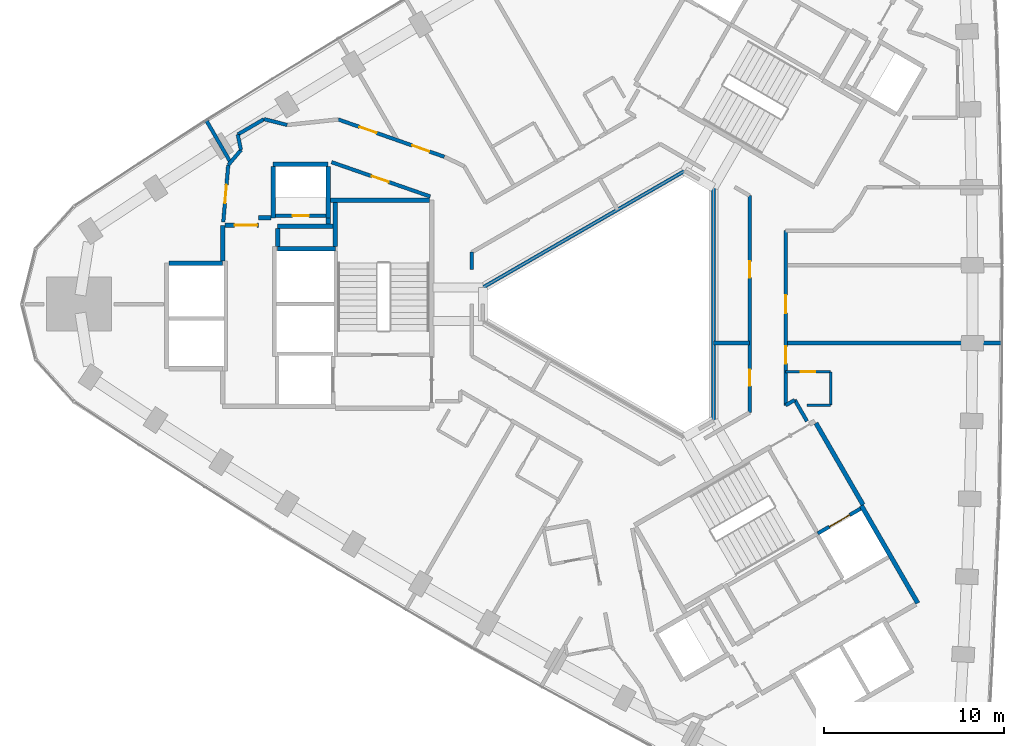
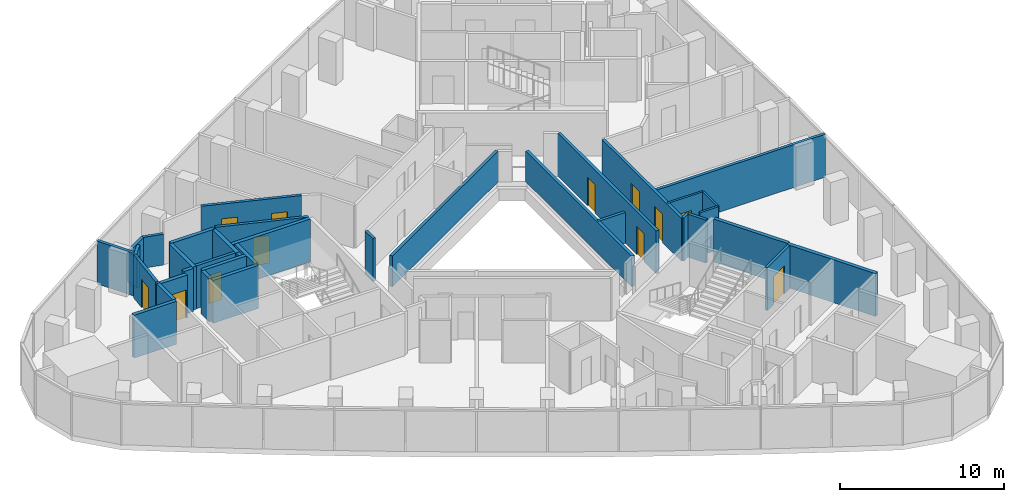
# One storey, part 10 of 13: 37 walls, 12 doors, 12 openings.
"""IFC4 building model written with IfcOpenShell, lengths in metres."""

from ifc_helpers import new_model, si_unit, direction, frame, frame_2d, origin, place, context, subcontext, project, spatial, rectangle, extrude, material, layer, layer_set, type_object, element, fill, save


model = new_model("IFC4")

# Units and contexts
model_context = context("Model", 3, precision=1e-05, world=origin(), true_north=direction((0.0, 1.0)))
body_context = subcontext(model_context, "Body", "Model", "MODEL_VIEW")
ifc_project = project(units=[si_unit("LENGTHUNIT", "METRE"), si_unit("AREAUNIT", "SQUARE_METRE"), si_unit("VOLUMEUNIT", "CUBIC_METRE"), si_unit("PLANEANGLEUNIT", "RADIAN"), si_unit("MASSUNIT", "GRAM", prefix="KILO")], contexts=[model_context])

# Site, building, storey
site_placement = place(None, origin())
site = spatial("IfcSite", under=ifc_project, at=site_placement, CompositionType="ELEMENT")
building_placement = place(site_placement, origin())
building = spatial("IfcBuilding", under=site, at=building_placement, Name="Tamra Quay Hotel Tower", CompositionType="ELEMENT")
storey_placement = place(building_placement, frame((0.0, 0.0, 132.39990234375)))
storey = spatial("IfcBuildingStorey", under=building, at=storey_placement, Name="L32", CompositionType="ELEMENT", Elevation=132.39990234375)

# Wall, opening, door
ifc_material_1 = material(Name="Concrete M70", Category="concrete")
ifc_layer_1 = layer(ifc_material_1, 0.199951171875)
ifc_layer_set_1 = layer_set([ifc_layer_1], Name="Concrete M70 core wall 200")
wall_type_1 = type_object("IfcWallType", Name="Concrete M70 core wall 200", PredefinedType="SHEAR", material=ifc_layer_set_1)
wall_1_placement = place(storey_placement, frame((-19.51123046875, 4.91015625, 0.0), z_axis=(0.0, 0.0, 1.0), x_axis=(1.0, 0.0, 0.0)))
wall_1 = element("IfcWall", 1, at=wall_1_placement, inside=storey, type_object=wall_type_1, Name="CW2", PredefinedType="SHEAR", context=body_context, shape_type="SweptSolid", body=[
    extrude(rectangle(XDim=2.7978515625, YDim=0.199951171875, at=frame_2d((1.39892578125, 0.0))), origin(), (0.0, 0.0, 1.0), 3.2001953125),
])
opening_1_placement = place(wall_1_placement, frame((0.948974609375, 0.0, 0.0)))
opening_1 = element("IfcOpeningElement", 2, at=opening_1_placement, cuts=wall_1, Name="Opening D1", PredefinedType="OPENING", context=body_context, shape_type="SweptSolid", body=[
    extrude(rectangle(XDim=0.89990234375, YDim=2.10009765625, at=frame_2d((0.449951171875, 1.050048828125))), frame((0.0, 0.10986328125, 0.0), z_axis=(0.0, -1.0, 0.0), x_axis=(1.0, 0.0, 0.0)), (0.0, 0.0, 1.0), 0.219970703125),
])
ifc_material_2 = material(Name="Core door D1 900x2100 LH")
door_type_1 = type_object("IfcDoorType", Name="Core door D1 900x2100 LH", OperationType="NOTDEFINED", PredefinedType="DOOR", material=ifc_material_2)
door_1_placement = place(opening_1_placement, origin())
door_1 = element("IfcDoor", 3, at=door_1_placement, inside=storey, type_object=door_type_1, Name="D1", OperationType="SINGLE_SWING_LEFT", OverallHeight=2.10009765625, OverallWidth=0.89990234375, PredefinedType="DOOR", context=body_context, shape_type="SweptSolid", body=[
    extrude(rectangle(XDim=0.89990234375, YDim=2.10009765625, at=frame_2d((0.449951171875, 1.050048828125))), frame((0.0, 0.02490234375, 0.0), z_axis=(0.0, -1.0, 0.0), x_axis=(1.0, 0.0, 0.0)), (0.0, 0.0, 1.0), 0.050048828125),
])
fill(opening_1, door_1)

wall_2_placement = place(storey_placement, frame((10.587158203125, -12.72314453125, 0.0), z_axis=(0.0, 0.0, 1.0), x_axis=(0.866037306777, 0.499979382845, 0.0)))
wall_2 = element("IfcWall", 4, at=wall_2_placement, inside=storey, type_object=wall_type_1, Name="CW2", PredefinedType="SHEAR", context=body_context, shape_type="SweptSolid", body=[
    extrude(rectangle(XDim=2.74169921875, YDim=0.199951171875, at=frame_2d((1.370849609375, 0.0))), origin(), (0.0, 0.0, 1.0), 3.2001953125),
])
opening_2_placement = place(wall_2_placement, frame((0.742919921875, 0.0, 0.0)))
opening_2 = element("IfcOpeningElement", 5, at=opening_2_placement, cuts=wall_2, Name="Opening LD", PredefinedType="OPENING", context=body_context, shape_type="SweptSolid", body=[
    extrude(rectangle(XDim=1.300048828125, YDim=2.10009765625, at=frame_2d((0.64990234375, 1.050048828125))), frame((0.0, 0.10986328125, 0.0), z_axis=(0.0, -1.0, 0.0), x_axis=(1.0, 0.0, 0.0)), (0.0, 0.0, 1.0), 0.219970703125),
])
ifc_material_3 = material(Name="Landing door LD 1300 sliding to left")
door_type_2 = type_object("IfcDoorType", Name="Landing door LD 1300 sliding to left", OperationType="NOTDEFINED", PredefinedType="DOOR", material=ifc_material_3)
door_2_placement = place(opening_2_placement, origin())
door_2 = element("IfcDoor", 6, at=door_2_placement, inside=storey, type_object=door_type_2, Name="LD", OperationType="SLIDING_TO_LEFT", OverallHeight=2.10009765625, OverallWidth=1.300048828125, PredefinedType="DOOR", context=body_context, shape_type="SweptSolid", body=[
    extrude(rectangle(XDim=1.300048828125, YDim=2.10009765625, at=frame_2d((0.64990234375, 1.050048828125))), frame((0.0, 0.02490234375, 0.0), z_axis=(0.0, -1.0, 0.0), x_axis=(1.0, 0.0, 0.0)), (0.0, 0.0, 1.0), 0.050048828125),
])
fill(opening_2, door_2)

# Walls
ifc_layer_2 = layer(ifc_material_1, 0.25)
ifc_layer_set_2 = layer_set([ifc_layer_2], Name="Concrete M70 core wall 250")
wall_type_2 = type_object("IfcWallType", Name="Concrete M70 core wall 250", PredefinedType="SHEAR", material=ifc_layer_set_2)
wall_3_placement = place(storey_placement, frame((-16.47216796875, 5.77490234375, 0.0), z_axis=(0.0, 0.0, 1.0), x_axis=(1.0, 0.0, 0.0)))
element("IfcWall", 7, at=wall_3_placement, inside=storey, type_object=wall_type_2, Name="CW1", PredefinedType="SHEAR", context=body_context, shape_type="SweptSolid", body=[
    extrude(rectangle(XDim=5.509521484375, YDim=0.25, at=frame_2d((2.7548828125, 0.0))), origin(), (0.0, 0.0, 1.0), 3.2001953125),
])
wall_4_placement = place(storey_placement, frame((-19.38720703125, 3.074951171875, 0.0), z_axis=(0.0, 0.0, 1.0), x_axis=(1.0, 0.0, 0.0)))
element("IfcWall", 8, at=wall_4_placement, inside=storey, type_object=wall_type_2, Name="CW1", PredefinedType="SHEAR", context=body_context, shape_type="SweptSolid", body=[
    extrude(rectangle(XDim=3.199951171875, YDim=0.25, at=frame_2d((1.60009765625, 0.0))), origin(), (0.0, 0.0, 1.0), 3.2001953125),
])
wall_5_placement = place(storey_placement, frame((-25.411865234375, 2.27490234375, 0.0), z_axis=(0.0, 0.0, 1.0), x_axis=(1.0, 0.0, 0.0)))
element("IfcWall", 9, at=wall_5_placement, inside=storey, type_object=wall_type_2, Name="CW1", PredefinedType="SHEAR", context=body_context, shape_type="SweptSolid", body=[
    extrude(rectangle(XDim=2.974609375, YDim=0.25, at=frame_2d((1.4873046875, 0.0))), origin(), (0.0, 0.0, 1.0), 3.2001953125),
])
wall_6_placement = place(storey_placement, frame((-19.63720703125, 7.77490234375, 0.0), z_axis=(0.0, 0.0, 1.0), x_axis=(1.0, 0.0, 0.0)))
element("IfcWall", 10, at=wall_6_placement, inside=storey, type_object=wall_type_2, Name="CW1", PredefinedType="SHEAR", context=body_context, shape_type="SweptSolid", body=[
    extrude(rectangle(XDim=3.0498046875, YDim=0.25, at=frame_2d((1.52490234375, 0.0))), origin(), (0.0, 0.0, 1.0), 3.2001953125),
])
for number, where, z_axis, x_axis, name in (
    (11, (-16.58740234375, 7.649658203125, 0.0), (0.0, 0.0, 1.0), (0.0, -1.0, 0.0), "CW1"),
    (12, (-19.63720703125, 4.784912109375, 0.0), (0.0, 0.0, 1.0), (0.0, 1.0, 0.0), "CW1"),
):
    element("IfcWall", number, at=place(storey_placement, frame(where, z_axis=z_axis, x_axis=x_axis)), inside=storey, type_object=wall_type_2, Name=name, PredefinedType="SHEAR", context=body_context, shape_type="SweptSolid", body=[
        extrude(rectangle(XDim=2.86474609375, YDim=0.25, at=frame_2d((1.432373046875, 0.0))), origin(), (0.0, 0.0, 1.0), 3.2001953125),
    ])
wall_7_placement = place(storey_placement, frame((-16.30224609375, 4.31494140625, 0.0), z_axis=(0.0, 0.0, 1.0), x_axis=(-1.0, 0.0, 0.0)))
element("IfcWall", 13, at=wall_7_placement, inside=storey, type_object=wall_type_2, Name="CW1", PredefinedType="SHEAR", context=body_context, shape_type="SweptSolid", body=[
    extrude(rectangle(XDim=3.0849609375, YDim=0.25, at=frame_2d((1.54248046875, 0.0))), origin(), (0.0, 0.0, 1.0), 3.2001953125),
])
wall_8_placement = place(storey_placement, frame((-16.187255859375, 3.200439453125, 0.0), z_axis=(0.0, 0.0, 1.0), x_axis=(0.0, 1.0, 0.0)))
element("IfcWall", 14, at=wall_8_placement, inside=storey, type_object=wall_type_2, Name="CW1", PredefinedType="SHEAR", context=body_context, shape_type="SweptSolid", body=[
    extrude(rectangle(XDim=2.44921875, YDim=0.25, at=frame_2d((1.224609375, 0.0))), origin(), (0.0, 0.0, 1.0), 3.2001953125),
])
wall_9_placement = place(storey_placement, frame((-22.437255859375, 2.400390625, 0.0), z_axis=(0.0, 0.0, 1.0), x_axis=(0.0, 1.0, 0.0)))
element("IfcWall", 15, at=wall_9_placement, inside=storey, type_object=wall_type_2, Name="CW1", PredefinedType="SHEAR", context=body_context, shape_type="SweptSolid", body=[
    extrude(rectangle(XDim=1.974609375, YDim=0.25, at=frame_2d((0.9873046875, 0.0))), origin(), (0.0, 0.0, 1.0), 3.2001953125),
])

# Wall, opening, door
wall_10_placement = place(storey_placement, frame((-22.311767578125, 4.375, 0.0), z_axis=(0.0, 0.0, 1.0), x_axis=(1.0, 0.0, 0.0)))
wall_10 = element("IfcWall", 16, at=wall_10_placement, inside=storey, type_object=wall_type_2, Name="CW1", PredefinedType="SHEAR", context=body_context, shape_type="SweptSolid", body=[
    extrude(rectangle(XDim=1.864501953125, YDim=0.25, at=frame_2d((0.93212890625, 0.0))), origin(), (0.0, 0.0, 1.0), 3.2001953125),
])
opening_3_placement = place(wall_10_placement, frame((0.53466796875, 0.0, 0.0)))
opening_3 = element("IfcOpeningElement", 17, at=opening_3_placement, cuts=wall_10, Name="Opening FD3", PredefinedType="OPENING", context=body_context, shape_type="SweptSolid", body=[
    extrude(rectangle(XDim=1.25, YDim=2.10009765625, at=frame_2d((0.625, 1.050048828125))), frame((0.0, 0.135009765625, 0.0), z_axis=(0.0, -1.0, 0.0), x_axis=(1.0, 0.0, 0.0)), (0.0, 0.0, 1.0), 0.27001953125),
])
ifc_material_4 = material(Name="Core door FD3 1250x2100 LH")
door_type_3 = type_object("IfcDoorType", Name="Core door FD3 1250x2100 LH", OperationType="NOTDEFINED", PredefinedType="DOOR", material=ifc_material_4)
door_3_placement = place(opening_3_placement, origin())
door_3 = element("IfcDoor", 18, at=door_3_placement, inside=storey, type_object=door_type_3, Name="FD3", OperationType="SINGLE_SWING_LEFT", OverallHeight=2.10009765625, OverallWidth=1.25, PredefinedType="DOOR", context=body_context, shape_type="SweptSolid", body=[
    extrude(rectangle(XDim=1.25, YDim=2.10009765625, at=frame_2d((0.625, 1.050048828125))), frame((0.0, 0.02490234375, 0.0), z_axis=(0.0, -1.0, 0.0), x_axis=(1.0, 0.0, 0.0)), (0.0, 0.0, 1.0), 0.050048828125),
])
fill(opening_3, door_3)

# Walls
wall_11_placement = place(storey_placement, frame((-19.38720703125, 4.189697265625, 0.0), z_axis=(0.0, 0.0, 1.0), x_axis=(0.0, -1.0, 0.0)))
element("IfcWall", 19, at=wall_11_placement, inside=storey, type_object=wall_type_2, Name="CW1", PredefinedType="SHEAR", context=body_context, shape_type="SweptSolid", body=[
    extrude(rectangle(XDim=0.9892578125, YDim=0.25, at=frame_2d((0.49462890625, 0.0))), origin(), (0.0, 0.0, 1.0), 3.2001953125),
])
wall_12_placement = place(storey_placement, frame((-20.447265625, 4.784912109375, 0.0), z_axis=(0.0, 0.0, 1.0), x_axis=(1.0, 0.0, 0.0)))
element("IfcWall", 20, at=wall_12_placement, inside=storey, type_object=wall_type_2, Name="CW1", PredefinedType="SHEAR", context=body_context, shape_type="SweptSolid", body=[
    extrude(rectangle(XDim=0.6845703125, YDim=0.25, at=frame_2d((0.34228515625, 0.0))), origin(), (0.0, 0.0, 1.0), 3.2001953125),
])
wall_13_placement = place(storey_placement, frame((-16.577392578125, 4.784912109375, 0.0), z_axis=(0.0, 0.0, 1.0), x_axis=(0.0, -1.0, 0.0)))
element("IfcWall", 21, at=wall_13_placement, inside=storey, type_object=wall_type_2, Name="CW1", PredefinedType="SHEAR", context=body_context, shape_type="SweptSolid", body=[
    extrude(rectangle(XDim=0.344482421875, YDim=0.25, at=frame_2d((0.17236328125, 0.0))), origin(), (0.0, 0.0, 1.0), 3.2001953125),
])
wall_14_placement = place(storey_placement, frame((13.00830078125, -11.18115234375, 0.0), z_axis=(0.0, 0.0, 1.0), x_axis=(0.500004234368, -0.866022959057, 0.0)))
element("IfcWall", 22, at=wall_14_placement, inside=storey, type_object=wall_type_2, Name="CW1", PredefinedType="SHEAR", context=body_context, shape_type="SweptSolid", body=[
    extrude(rectangle(XDim=6.25, YDim=0.25, at=frame_2d((3.125, 0.0))), origin(), (0.0, 0.0, 1.0), 3.2001953125),
])
wall_15_placement = place(storey_placement, frame((10.482666015625, -6.6064453125, 0.0), z_axis=(0.0, 0.0, 1.0), x_axis=(0.49999885962, -0.866026062182, 0.0)))
element("IfcWall", 23, at=wall_15_placement, inside=storey, type_object=wall_type_2, Name="CW1", PredefinedType="SHEAR", context=body_context, shape_type="SweptSolid", body=[
    extrude(rectangle(XDim=5.224609375, YDim=0.25, at=frame_2d((2.6123046875, 0.0))), origin(), (0.0, 0.0, 1.0), 3.2001953125),
])

# Wall, opening, door
ifc_material_5 = material(Name="Partition corridor wall")
ifc_layer_3 = layer(ifc_material_5, 0.199951171875)
ifc_layer_set_3 = layer_set([ifc_layer_3], Name="Partition corridor wall")
wall_type_3 = type_object("IfcWallType", Name="Partition corridor wall", PredefinedType="PARTITIONING", material=ifc_layer_set_3)
wall_16_placement = place(storey_placement, frame((-22.40673828125, 4.56005859375, 0.0), z_axis=(0.0, 0.0, 1.0), x_axis=(0.086898645684, 0.996217157741, 0.0)))
wall_16 = element("IfcWall", 24, at=wall_16_placement, inside=storey, type_object=wall_type_3, Name="W-C", PredefinedType="PARTITIONING", context=body_context, shape_type="SweptSolid", body=[
    extrude(rectangle(XDim=3.171875, YDim=0.199951171875, at=frame_2d((1.5859375, 0.0))), origin(), (0.0, 0.0, 1.0), 3.2001953125),
])
opening_4_placement = place(wall_16_placement, frame((1.055908203125, 0.0, 0.0)))
opening_4 = element("IfcOpeningElement", 25, at=opening_4_placement, cuts=wall_16, Name="Opening L32-D013", PredefinedType="OPENING", context=body_context, shape_type="SweptSolid", body=[
    extrude(rectangle(XDim=1.0, YDim=2.10009765625, at=frame_2d((0.5, 1.050048828125))), frame((0.0, 0.10986328125, 0.0), z_axis=(0.0, -1.0, 0.0), x_axis=(1.0, 0.0, 0.0)), (0.0, 0.0, 1.0), 0.219970703125),
])
ifc_material_6 = material(Name="Door guest room 1000x2100")
door_type_4 = type_object("IfcDoorType", Name="Door guest room 1000x2100", OperationType="NOTDEFINED", PredefinedType="DOOR", material=ifc_material_6)
door_4_placement = place(opening_4_placement, origin())
door_4 = element("IfcDoor", 26, at=door_4_placement, inside=storey, type_object=door_type_4, Name="L32-D013", OperationType="SINGLE_SWING_LEFT", OverallHeight=2.10009765625, OverallWidth=1.0, PredefinedType="DOOR", context=body_context, shape_type="SweptSolid", body=[
    extrude(rectangle(XDim=1.0, YDim=2.10009765625, at=frame_2d((0.5, 1.050048828125))), frame((0.0, 0.02490234375, 0.0), z_axis=(0.0, -1.0, 0.0), x_axis=(1.0, 0.0, 0.0)), (0.0, 0.0, 1.0), 0.050048828125),
])
fill(opening_4, door_4)

# Walls
wall_17_placement = place(storey_placement, frame((-22.13037109375, 7.719482421875, 0.0), z_axis=(0.0, 0.0, 1.0), x_axis=(0.646413536249, 0.762987247701, 0.0)))
element("IfcWall", 27, at=wall_17_placement, inside=storey, type_object=wall_type_3, Name="W-C", PredefinedType="PARTITIONING", context=body_context, shape_type="SweptSolid", body=[
    extrude(rectangle(XDim=1.091064453125, YDim=0.199951171875, at=frame_2d((0.54541015625, 0.0))), origin(), (0.0, 0.0, 1.0), 3.2001953125),
])
wall_18_placement = place(storey_placement, frame((-21.60498046875, 9.412109375, 0.0), z_axis=(0.0, 0.0, 1.0), x_axis=(0.204764111512, -0.978811349871, 0.0)))
element("IfcWall", 28, at=wall_18_placement, inside=storey, type_object=wall_type_3, Name="W-C", PredefinedType="PARTITIONING", context=body_context, shape_type="SweptSolid", body=[
    extrude(rectangle(XDim=0.878662109375, YDim=0.199951171875, at=frame_2d((0.439453125, 0.0))), origin(), (0.0, 0.0, 1.0), 2.300048828125),
])
wall_19_placement = place(storey_placement, frame((-21.60400390625, 9.4130859375, 0.0), z_axis=(0.0, 0.0, 1.0), x_axis=(0.863736988548, 0.503942868402, 0.0)))
element("IfcWall", 29, at=wall_19_placement, inside=storey, type_object=wall_type_3, Name="W-C", PredefinedType="PARTITIONING", context=body_context, shape_type="SweptSolid", body=[
    extrude(rectangle(XDim=1.690185546875, YDim=0.199951171875, at=frame_2d((0.84521484375, 0.0))), origin(), (0.0, 0.0, 1.0), 2.300048828125),
])
wall_20_placement = place(storey_placement, frame((-20.14306640625, 10.26611328125, 0.0), z_axis=(0.0, 0.0, 1.0), x_axis=(0.969121308325, -0.246584447505, 0.0)))
element("IfcWall", 30, at=wall_20_placement, inside=storey, type_object=wall_type_3, Name="W-C", PredefinedType="PARTITIONING", context=body_context, shape_type="SweptSolid", body=[
    extrude(rectangle(XDim=1.31884765625, YDim=0.199951171875, at=frame_2d((0.659423828125, 0.0))), origin(), (0.0, 0.0, 1.0), 2.300048828125),
])

# Wall, opening, door
wall_21_placement = place(storey_placement, frame((-16.40234375, 7.879150390625, 0.0), z_axis=(0.0, 0.0, 1.0), x_axis=(0.944492255471, -0.328533680702, 0.0)))
wall_21 = element("IfcWall", 31, at=wall_21_placement, inside=storey, type_object=wall_type_3, Name="W-C", PredefinedType="PARTITIONING", context=body_context, shape_type="SweptSolid", body=[
    extrude(rectangle(XDim=5.80224609375, YDim=0.199951171875, at=frame_2d((2.901123046875, 0.0))), origin(), (0.0, 0.0, 1.0), 3.2001953125),
])
opening_5_placement = place(wall_21_placement, frame((2.36962890625, 0.0, 0.0)))
opening_5 = element("IfcOpeningElement", 32, at=opening_5_placement, cuts=wall_21, Name="Opening L32-D011", PredefinedType="OPENING", context=body_context, shape_type="SweptSolid", body=[
    extrude(rectangle(XDim=1.0, YDim=2.10009765625, at=frame_2d((0.5, 1.050048828125))), frame((0.0, 0.10986328125, 0.0), z_axis=(0.0, -1.0, 0.0), x_axis=(1.0, 0.0, 0.0)), (0.0, 0.0, 1.0), 0.219970703125),
])
door_5_placement = place(opening_5_placement, frame((1.0, 0.0, 0.0), z_axis=(0.0, 0.0, 1.0), x_axis=(-1.0, 0.0, 0.0)))
door_5 = element("IfcDoor", 33, at=door_5_placement, inside=storey, type_object=door_type_4, Name="L32-D011", OperationType="SINGLE_SWING_LEFT", OverallHeight=2.10009765625, OverallWidth=1.0, PredefinedType="DOOR", context=body_context, shape_type="SweptSolid", body=[
    extrude(rectangle(XDim=1.0, YDim=2.10009765625, at=frame_2d((0.5, 1.050048828125))), frame((0.0, 0.02490234375, 0.0), z_axis=(0.0, -1.0, 0.0), x_axis=(1.0, 0.0, 0.0)), (0.0, 0.0, 1.0), 0.050048828125),
])
fill(opening_5, door_5)

# Wall, openings, doors
wall_22_placement = place(storey_placement, frame((-16.025634765625, 10.248046875, 0.0), z_axis=(0.0, 0.0, 1.0), x_axis=(0.943234993827, -0.332126100179, 0.0)))
wall_22 = element("IfcWall", 34, at=wall_22_placement, inside=storey, type_object=wall_type_3, Name="W-C", PredefinedType="PARTITIONING", context=body_context, shape_type="SweptSolid", body=[
    extrude(rectangle(XDim=6.23876953125, YDim=0.199951171875, at=frame_2d((3.119384765625, 0.0))), origin(), (0.0, 0.0, 1.0), 3.2001953125),
])
opening_6_placement = place(wall_22_placement, frame((4.355224609375, 0.0, 0.0)))
opening_6 = element("IfcOpeningElement", 35, at=opening_6_placement, cuts=wall_22, Name="Opening L32-D010", PredefinedType="OPENING", context=body_context, shape_type="SweptSolid", body=[
    extrude(rectangle(XDim=1.0, YDim=2.10009765625, at=frame_2d((0.5, 1.050048828125))), frame((0.0, 0.10986328125, 0.0), z_axis=(0.0, -1.0, 0.0), x_axis=(1.0, 0.0, 0.0)), (0.0, 0.0, 1.0), 0.219970703125),
])
opening_7_placement = place(wall_22_placement, frame((1.2509765625, 0.0, 0.0)))
opening_7 = element("IfcOpeningElement", 36, at=opening_7_placement, cuts=wall_22, Name="Opening L32-D012", PredefinedType="OPENING", context=body_context, shape_type="SweptSolid", body=[
    extrude(rectangle(XDim=1.0, YDim=2.10009765625, at=frame_2d((0.5, 1.050048828125))), frame((0.0, 0.10986328125, 0.0), z_axis=(0.0, -1.0, 0.0), x_axis=(1.0, 0.0, 0.0)), (0.0, 0.0, 1.0), 0.219970703125),
])
door_6_placement = place(opening_6_placement, origin())
door_6 = element("IfcDoor", 37, at=door_6_placement, inside=storey, type_object=door_type_4, Name="L32-D010", OperationType="SINGLE_SWING_LEFT", OverallHeight=2.10009765625, OverallWidth=1.0, PredefinedType="DOOR", context=body_context, shape_type="SweptSolid", body=[
    extrude(rectangle(XDim=1.0, YDim=2.10009765625, at=frame_2d((0.5, 1.050048828125))), frame((0.0, 0.02490234375, 0.0), z_axis=(0.0, -1.0, 0.0), x_axis=(1.0, 0.0, 0.0)), (0.0, 0.0, 1.0), 0.050048828125),
])
fill(opening_6, door_6)
door_7_placement = place(opening_7_placement, origin())
door_7 = element("IfcDoor", 38, at=door_7_placement, inside=storey, type_object=door_type_4, Name="L32-D012", OperationType="SINGLE_SWING_LEFT", OverallHeight=2.10009765625, OverallWidth=1.0, PredefinedType="DOOR", context=body_context, shape_type="SweptSolid", body=[
    extrude(rectangle(XDim=1.0, YDim=2.10009765625, at=frame_2d((0.5, 1.050048828125))), frame((0.0, 0.02490234375, 0.0), z_axis=(0.0, -1.0, 0.0), x_axis=(1.0, 0.0, 0.0)), (0.0, 0.0, 1.0), 0.050048828125),
])
fill(opening_7, door_7)

# Wall
wall_23_placement = place(storey_placement, frame((-8.612060546875, 1.926025390625, 0.0), z_axis=(0.0, 0.0, 1.0), x_axis=(0.0, 1.0, 0.0)))
element("IfcWall", 39, at=wall_23_placement, inside=storey, type_object=wall_type_3, Name="W-C", PredefinedType="PARTITIONING", context=body_context, shape_type="SweptSolid", body=[
    extrude(rectangle(XDim=0.953857421875, YDim=0.199951171875, at=frame_2d((0.47705078125, 0.0))), origin(), (0.0, 0.0, 1.0), 3.2001953125),
])

# Wall, openings, doors
wall_24_placement = place(storey_placement, frame((6.800048828125, -6.01904296875, 0.0), z_axis=(0.0, 0.0, 1.0), x_axis=(0.0, 1.0, 0.0)))
wall_24 = element("IfcWall", 40, at=wall_24_placement, inside=storey, type_object=wall_type_3, Name="W-C", PredefinedType="PARTITIONING", context=body_context, shape_type="SweptSolid", body=[
    extrude(rectangle(XDim=12.0380859375, YDim=0.199951171875, at=frame_2d((6.01904296875, 0.0))), origin(), (0.0, 0.0, 1.0), 3.2001953125),
])
opening_8_placement = place(wall_24_placement, frame((1.485107421875, 0.0, 0.0)))
opening_8 = element("IfcOpeningElement", 41, at=opening_8_placement, cuts=wall_24, Name="Opening L32-D024", PredefinedType="OPENING", context=body_context, shape_type="SweptSolid", body=[
    extrude(rectangle(XDim=0.89990234375, YDim=2.10009765625, at=frame_2d((0.449951171875, 1.050048828125))), frame((0.0, 0.10986328125, 0.0), z_axis=(0.0, -1.0, 0.0), x_axis=(1.0, 0.0, 0.0)), (0.0, 0.0, 1.0), 0.219970703125),
])
opening_9_placement = place(wall_24_placement, frame((7.491943359375, 0.0, 0.0)))
opening_9 = element("IfcOpeningElement", 42, at=opening_9_placement, cuts=wall_24, Name="Opening L32-D025", PredefinedType="OPENING", context=body_context, shape_type="SweptSolid", body=[
    extrude(rectangle(XDim=0.89990234375, YDim=2.10009765625, at=frame_2d((0.449951171875, 1.050048828125))), frame((0.0, 0.10986328125, 0.0), z_axis=(0.0, -1.0, 0.0), x_axis=(1.0, 0.0, 0.0)), (0.0, 0.0, 1.0), 0.219970703125),
])
ifc_material_7 = material(Name="Door service room 900x2100")
door_type_5 = type_object("IfcDoorType", Name="Door service room 900x2100", OperationType="NOTDEFINED", PredefinedType="DOOR", material=ifc_material_7)
door_8_placement = place(opening_8_placement, origin())
door_8 = element("IfcDoor", 43, at=door_8_placement, inside=storey, type_object=door_type_5, Name="L32-D024", OperationType="SINGLE_SWING_LEFT", OverallHeight=2.10009765625, OverallWidth=0.89990234375, PredefinedType="DOOR", context=body_context, shape_type="SweptSolid", body=[
    extrude(rectangle(XDim=0.89990234375, YDim=2.10009765625, at=frame_2d((0.449951171875, 1.050048828125))), frame((0.0, 0.02490234375, 0.0), z_axis=(0.0, -1.0, 0.0), x_axis=(1.0, 0.0, 0.0)), (0.0, 0.0, 1.0), 0.050048828125),
])
fill(opening_8, door_8)
door_9_placement = place(opening_9_placement, origin())
door_9 = element("IfcDoor", 44, at=door_9_placement, inside=storey, type_object=door_type_5, Name="L32-D025", OperationType="SINGLE_SWING_LEFT", OverallHeight=2.10009765625, OverallWidth=0.89990234375, PredefinedType="DOOR", context=body_context, shape_type="SweptSolid", body=[
    extrude(rectangle(XDim=0.89990234375, YDim=2.10009765625, at=frame_2d((0.449951171875, 1.050048828125))), frame((0.0, 0.02490234375, 0.0), z_axis=(0.0, -1.0, 0.0), x_axis=(1.0, 0.0, 0.0)), (0.0, 0.0, 1.0), 0.050048828125),
])
fill(opening_9, door_9)

wall_25_placement = place(storey_placement, frame((8.800048828125, -5.614013671875, 0.0), z_axis=(0.0, 0.0, 1.0), x_axis=(0.0, 1.0, 0.0)))
wall_25 = element("IfcWall", 45, at=wall_25_placement, inside=storey, type_object=wall_type_3, Name="W-C", PredefinedType="PARTITIONING", context=body_context, shape_type="SweptSolid", body=[
    extrude(rectangle(XDim=9.69189453125, YDim=0.199951171875, at=frame_2d((4.845947265625, 0.0))), origin(), (0.0, 0.0, 1.0), 3.2001953125),
])
opening_10_placement = place(wall_25_placement, frame((2.31494140625, 0.0, 0.0)))
opening_10 = element("IfcOpeningElement", 46, at=opening_10_placement, cuts=wall_25, Name="Opening L32-D001", PredefinedType="OPENING", context=body_context, shape_type="SweptSolid", body=[
    extrude(rectangle(XDim=0.949951171875, YDim=2.10009765625, at=frame_2d((0.47509765625, 1.050048828125))), frame((0.0, 0.10986328125, 0.0), z_axis=(0.0, -1.0, 0.0), x_axis=(1.0, 0.0, 0.0)), (0.0, 0.0, 1.0), 0.219970703125),
])
opening_11_placement = place(wall_25_placement, frame((5.114013671875, 0.0, 0.0)))
opening_11 = element("IfcOpeningElement", 47, at=opening_11_placement, cuts=wall_25, Name="Opening L32-D003", PredefinedType="OPENING", context=body_context, shape_type="SweptSolid", body=[
    extrude(rectangle(XDim=1.0, YDim=2.10009765625, at=frame_2d((0.5, 1.050048828125))), frame((0.0, 0.10986328125, 0.0), z_axis=(0.0, -1.0, 0.0), x_axis=(1.0, 0.0, 0.0)), (0.0, 0.0, 1.0), 0.219970703125),
])
door_10_placement = place(opening_11_placement, frame((1.0, 0.0, 0.0), z_axis=(0.0, 0.0, 1.0), x_axis=(-1.0, 0.0, 0.0)))
door_10 = element("IfcDoor", 48, at=door_10_placement, inside=storey, type_object=door_type_4, Name="L32-D003", OperationType="SINGLE_SWING_LEFT", OverallHeight=2.10009765625, OverallWidth=1.0, PredefinedType="DOOR", context=body_context, shape_type="SweptSolid", body=[
    extrude(rectangle(XDim=1.0, YDim=2.10009765625, at=frame_2d((0.5, 1.050048828125))), frame((0.0, 0.02490234375, 0.0), z_axis=(0.0, -1.0, 0.0), x_axis=(1.0, 0.0, 0.0)), (0.0, 0.0, 1.0), 0.050048828125),
])
fill(opening_11, door_10)
ifc_material_8 = material(Name="Door guest room 950x2100")
door_type_6 = type_object("IfcDoorType", Name="Door guest room 950x2100", OperationType="NOTDEFINED", PredefinedType="DOOR", material=ifc_material_8)
door_11_placement = place(opening_10_placement, frame((0.949951171875, 0.0, 0.0), z_axis=(0.0, 0.0, 1.0), x_axis=(-1.0, 0.0, 0.0)))
door_11 = element("IfcDoor", 49, at=door_11_placement, inside=storey, type_object=door_type_6, Name="L32-D001", OperationType="SINGLE_SWING_LEFT", OverallHeight=2.10009765625, OverallWidth=0.949951171875, PredefinedType="DOOR", context=body_context, shape_type="SweptSolid", body=[
    extrude(rectangle(XDim=0.949951171875, YDim=2.10009765625, at=frame_2d((0.47509765625, 1.050048828125))), frame((0.0, 0.02490234375, 0.0), z_axis=(0.0, -1.0, 0.0), x_axis=(1.0, 0.0, 0.0)), (0.0, 0.0, 1.0), 0.050048828125),
])
fill(opening_10, door_11)

# Walls
wall_26_placement = place(storey_placement, frame((8.800048828125, -5.614013671875, 0.0), z_axis=(0.0, 0.0, 1.0), x_axis=(0.866491166515, 0.499192406143, 0.0)))
element("IfcWall", 50, at=wall_26_placement, inside=storey, type_object=wall_type_3, Name="W-C", PredefinedType="PARTITIONING", context=body_context, shape_type="SweptSolid", body=[
    extrude(rectangle(XDim=0.5849609375, YDim=0.199951171875, at=frame_2d((0.29248046875, 0.0))), origin(), (0.0, 0.0, 1.0), 3.2001953125),
])
wall_27_placement = place(storey_placement, frame((9.3076171875, -5.321533203125, 0.0), z_axis=(0.0, 0.0, 1.0), x_axis=(0.499644515495, -0.866230545603, 0.0)))
element("IfcWall", 51, at=wall_27_placement, inside=storey, type_object=wall_type_3, Name="W-C", PredefinedType="PARTITIONING", context=body_context, shape_type="SweptSolid", body=[
    extrude(rectangle(XDim=1.35595703125, YDim=0.199951171875, at=frame_2d((0.677978515625, 0.0))), origin(), (0.0, 0.0, 1.0), 3.2001953125),
])

# Wall, opening, door
ifc_material_9 = material(Name="Partition en-suite wall")
ifc_layer_4 = layer(ifc_material_9, 0.14990234375)
ifc_layer_set_4 = layer_set([ifc_layer_4], Name="Partition en-suite wall")
wall_type_4 = type_object("IfcWallType", Name="Partition en-suite wall", PredefinedType="PARTITIONING", material=ifc_layer_set_4)
wall_28_placement = place(storey_placement, frame((8.801025390625, -3.760986328125, 0.0), z_axis=(0.0, 0.0, 1.0), x_axis=(1.0, 0.0, 0.0)))
wall_28 = element("IfcWall", 52, at=wall_28_placement, inside=storey, type_object=wall_type_4, Name="W-E", PredefinedType="PARTITIONING", context=body_context, shape_type="SweptSolid", body=[
    extrude(rectangle(XDim=2.4970703125, YDim=0.14990234375, at=frame_2d((1.24853515625, 0.0))), origin(), (0.0, 0.0, 1.0), 3.2001953125),
])
opening_12_placement = place(wall_28_placement, frame((0.84912109375, 0.0, 0.0)))
opening_12 = element("IfcOpeningElement", 53, at=opening_12_placement, cuts=wall_28, Name="Opening L32-D002", PredefinedType="OPENING", context=body_context, shape_type="SweptSolid", body=[
    extrude(rectangle(XDim=0.800048828125, YDim=2.10009765625, at=frame_2d((0.39990234375, 1.050048828125))), frame((0.0, 0.0849609375, 0.0), z_axis=(0.0, -1.0, 0.0), x_axis=(1.0, 0.0, 0.0)), (0.0, 0.0, 1.0), 0.169921875),
])
ifc_material_10 = material(Name="Door en-suite 800x2100")
door_type_7 = type_object("IfcDoorType", Name="Door en-suite 800x2100", OperationType="NOTDEFINED", PredefinedType="DOOR", material=ifc_material_10)
door_12_placement = place(opening_12_placement, frame((0.800048828125, 0.0, 0.0), z_axis=(0.0, 0.0, 1.0), x_axis=(-1.0, 0.0, 0.0)))
door_12 = element("IfcDoor", 54, at=door_12_placement, inside=storey, type_object=door_type_7, Name="L32-D002", OperationType="SINGLE_SWING_LEFT", OverallHeight=2.10009765625, OverallWidth=0.800048828125, PredefinedType="DOOR", context=body_context, shape_type="SweptSolid", body=[
    extrude(rectangle(XDim=0.800048828125, YDim=2.10009765625, at=frame_2d((0.39990234375, 1.050048828125))), frame((0.0, 0.02490234375, 0.0), z_axis=(0.0, -1.0, 0.0), x_axis=(1.0, 0.0, 0.0)), (0.0, 0.0, 1.0), 0.050048828125),
])
fill(opening_12, door_12)

# Walls
wall_29_placement = place(storey_placement, frame((11.298095703125, -5.614013671875, 0.0), z_axis=(0.0, 0.0, 1.0), x_axis=(-1.0, 0.0, 0.0)))
element("IfcWall", 55, at=wall_29_placement, inside=storey, type_object=wall_type_4, Name="W-E", PredefinedType="PARTITIONING", context=body_context, shape_type="SweptSolid", body=[
    extrude(rectangle(XDim=1.30224609375, YDim=0.14990234375, at=frame_2d((0.651123046875, 0.0))), origin(), (0.0, 0.0, 1.0), 3.2001953125),
])
wall_30_placement = place(storey_placement, frame((11.300048828125, -5.612060546875, 0.0), z_axis=(0.0, 0.0, 1.0), x_axis=(0.0, 1.0, 0.0)))
element("IfcWall", 56, at=wall_30_placement, inside=storey, type_object=wall_type_4, Name="W-E", PredefinedType="PARTITIONING", context=body_context, shape_type="SweptSolid", body=[
    extrude(rectangle(XDim=1.84912109375, YDim=0.14990234375, at=frame_2d((0.924560546875, 0.0))), origin(), (0.0, 0.0, 1.0), 3.2001953125),
])
ifc_material_11 = material(Name="Partition party wall")
ifc_layer_5 = layer(ifc_material_11, 0.199951171875)
ifc_layer_set_5 = layer_set([ifc_layer_5], Name="Partition party wall")
wall_type_5 = type_object("IfcWallType", Name="Partition party wall", PredefinedType="PARTITIONING", material=ifc_layer_set_5)
wall_31_placement = place(storey_placement, frame((-23.350830078125, 10.196533203125, 0.0), z_axis=(0.0, 0.0, 1.0), x_axis=(0.49992673358, -0.86606770004, 0.0)))
element("IfcWall", 57, at=wall_31_placement, inside=storey, type_object=wall_type_5, Name="W-P", PredefinedType="PARTITIONING", context=body_context, shape_type="SweptSolid", body=[
    extrude(rectangle(XDim=2.68994140625, YDim=0.199951171875, at=frame_2d((1.344970703125, 0.0))), origin(), (0.0, 0.0, 1.0), 3.2001953125),
])
wall_32_placement = place(storey_placement, frame((-8.0, 0.924072265625, 0.0), z_axis=(0.0, 0.0, 1.0), x_axis=(0.86604129137, 0.499972480886, 0.0)))
element("IfcWall", 58, at=wall_32_placement, inside=storey, type_object=wall_type_5, Name="W-P", PredefinedType="PARTITIONING", context=body_context, shape_type="SweptSolid", body=[
    extrude(rectangle(XDim=12.932373046875, YDim=0.199951171875, at=frame_2d((6.46630859375, 0.0))), origin(), (0.0, 0.0, 1.0), 2.300048828125),
])
wall_33_placement = place(storey_placement, frame((4.800048828125, -6.466064453125, 0.0), z_axis=(0.0, 0.0, 1.0), x_axis=(0.0, 1.0, 0.0)))
element("IfcWall", 59, at=wall_33_placement, inside=storey, type_object=wall_type_5, Name="W-P", PredefinedType="PARTITIONING", context=body_context, shape_type="SweptSolid", body=[
    extrude(rectangle(XDim=12.93212890625, YDim=0.199951171875, at=frame_2d((6.466064453125, 0.0))), origin(), (0.0, 0.0, 1.0), 2.300048828125),
])
wall_34_placement = place(storey_placement, frame((4.800048828125, -2.160888671875, 0.0), z_axis=(0.0, 0.0, 1.0), x_axis=(1.0, 0.0, 0.0)))
element("IfcWall", 60, at=wall_34_placement, inside=storey, type_object=wall_type_5, Name="W-P", PredefinedType="PARTITIONING", context=body_context, shape_type="SweptSolid", body=[
    extrude(rectangle(XDim=2.0, YDim=0.199951171875, at=frame_2d((1.0, 0.0))), origin(), (0.0, 0.0, 1.0), 2.300048828125),
])
wall_35_placement = place(storey_placement, frame((8.801025390625, -2.160888671875, 0.0), z_axis=(0.0, 0.0, 1.0), x_axis=(1.0, 0.0, 0.0)))
element("IfcWall", 61, at=wall_35_placement, inside=storey, type_object=wall_type_5, Name="W-P", PredefinedType="PARTITIONING", context=body_context, shape_type="SweptSolid", body=[
    extrude(rectangle(XDim=12.013671875, YDim=0.199951171875, at=frame_2d((6.0068359375, 0.0))), origin(), (0.0, 0.0, 1.0), 3.2001953125),
])

save(model, "model.ifc")
